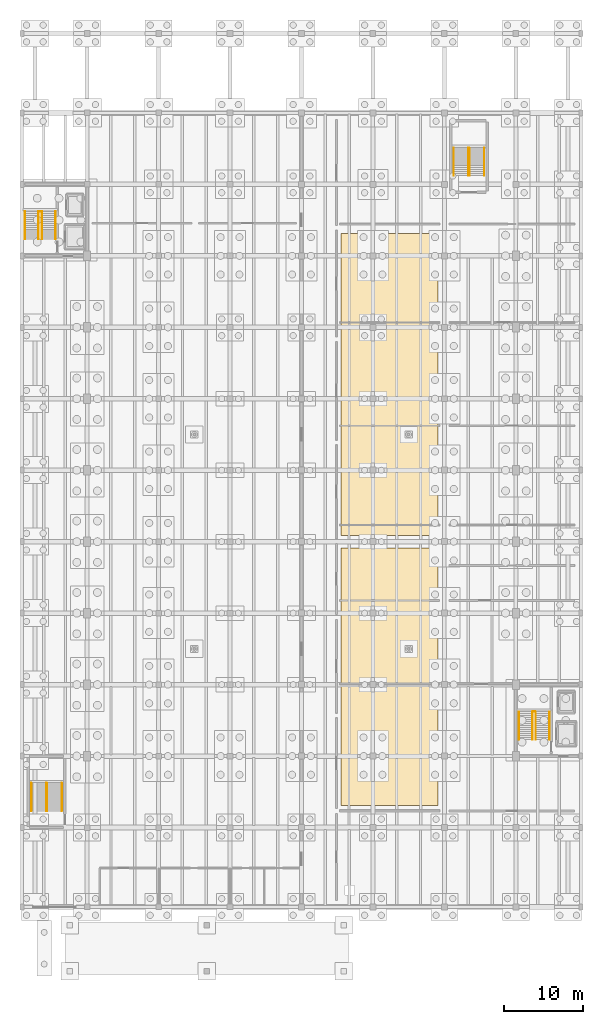
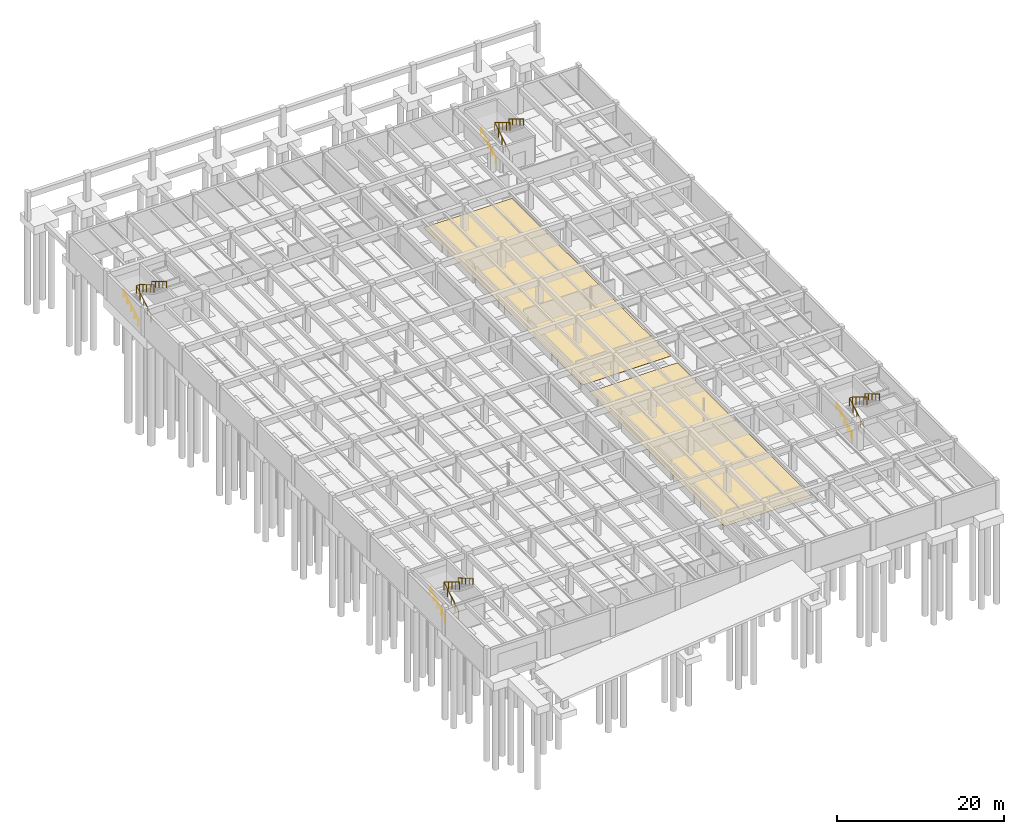
# One storey, part 22 of 23: 12 railings, 2 coverings.
"""IFC4 building model written with IfcOpenShell, lengths in metres."""

from ifc_helpers import new_model, si_unit, direction, frame, origin, origin_2d, place, context, subcontext, project, spatial, polyline, circle, outline, extrude, material, layer, layer_set, type_object, element, save


model = new_model("IFC4")

# Units and contexts
model_context = context("Model", 3, precision=1e-05, world=origin(), true_north=direction((0.0, 1.0)))
body_context = subcontext(model_context, "Body", "Model", "MODEL_VIEW")
ifc_project = project(units=[si_unit("LENGTHUNIT", "METRE"), si_unit("AREAUNIT", "SQUARE_METRE"), si_unit("VOLUMEUNIT", "CUBIC_METRE"), si_unit("PLANEANGLEUNIT", "RADIAN"), si_unit("MASSUNIT", "GRAM", prefix="KILO")], contexts=[model_context])

# Site, building, storey
site_placement = place(None, origin())
site = spatial("IfcSite", under=ifc_project, at=site_placement, CompositionType="ELEMENT")
building_placement = place(site_placement, origin())
building = spatial("IfcBuilding", under=site, at=building_placement, Name="Ornek Quay Market", CompositionType="ELEMENT")
storey_placement = place(building_placement, frame((0.0, 0.0, -4.199951171875)))
storey = spatial("IfcBuildingStorey", under=building, at=storey_placement, Name="B1", CompositionType="ELEMENT", Elevation=-4.199951171875)

# Coverings
ifc_material_1 = material(Name="Hygienic slip-resistant polyurethane food-grade screed", Category="other")
ifc_layer_1 = layer(ifc_material_1, 0.02001953125, Name="Hygienic slip-resistant polyurethane food-grade screed", Category="other")
ifc_layer_set_1 = layer_set([ifc_layer_1], Name="Hygienic slip-resistant polyurethane food-grade screed")
covering_type_1 = type_object("IfcCoveringType", Name="COV-FLR-RESIN-20", PredefinedType="FLOORING", material=ifc_layer_set_1)
covering_1_placement = place(storey_placement, origin())
element("IfcCovering", 1, at=covering_1_placement, inside=storey, type_object=covering_type_1, Name="Finished flooring FLG-12", PredefinedType="FLOORING", context=body_context, shape_type="SweptSolid", body=[
    extrude(outline(polyline([(95.0, 22.800048828125), (107.199951171875, 22.800048828125), (107.199951171875, 55.199951171875), (95.0, 55.199951171875), (95.0, 22.800048828125)])), origin(), (0.0, 0.0, 1.0), 0.02001953125),
])
ifc_material_2 = material(Name="Polished granite-aggregate terrazzo flooring", Category="masonry")
ifc_layer_2 = layer(ifc_material_2, 0.034912109375, Name="Polished granite-aggregate terrazzo flooring", Category="masonry")
ifc_layer_set_2 = layer_set([ifc_layer_2], Name="Polished granite-aggregate terrazzo flooring")
covering_type_2 = type_object("IfcCoveringType", Name="COV-FLR-TERRAZZO-35", PredefinedType="FLOORING", material=ifc_layer_set_2)
covering_2_placement = place(storey_placement, origin())
element("IfcCovering", 2, at=covering_2_placement, inside=storey, type_object=covering_type_2, Name="Finished flooring FLG-13", PredefinedType="FLOORING", context=body_context, shape_type="SweptSolid", body=[
    extrude(outline(polyline([(95.0, 56.800048828125), (107.199951171875, 56.800048828125), (107.199951171875, 94.800048828125), (95.0, 94.800048828125), (95.0, 56.800048828125)])), origin(), (0.0, 0.0, 1.0), 0.034912109375),
])

# Railings
ifc_material_3 = material(Name="Brushed stainless steel 316", Category="steel")
railing_type_1 = type_object("IfcRailingType", Name="RL-GUARD-STAIR-1100", PredefinedType="GUARDRAIL", material=ifc_material_3)
railing_1_placement = place(storey_placement, frame((56.89990234375, 94.095947265625, 0.0)))
element("IfcRailing", 3, at=railing_1_placement, inside=storey, type_object=railing_type_1, Name="Railing GR-03-013", PredefinedType="GUARDRAIL", context=body_context, shape_type="SweptSolid", body=[
    extrude(circle(Radius=0.02392578125, at=origin_2d()), frame((0.0, 0.0, 1.09619140625), z_axis=(0.0, 0.857255138169, 0.514891860572), x_axis=(-1.0, 0.0, 0.0)), (0.0, 0.0, 1.0), 4.04833984375),
    extrude(circle(Radius=0.02392578125, at=origin_2d()), frame((0.030029296875, 3.49609375, 3.19580078125), z_axis=(1.0, 0.0, 0.0), x_axis=(0.0, 1.0, 0.0)), (0.0, 0.0, 1.0), 0.340087890625),
    extrude(circle(Radius=0.02392578125, at=origin_2d()), frame((0.400146484375, 3.470458984375, 3.21142578125), z_axis=(0.0, -0.856958519123, 0.515385386387), x_axis=(1.0, 0.0, 0.0)), (0.0, 0.0, 1.0), 4.044921875),
    extrude(circle(Radius=0.02099609375, at=origin_2d()), origin(), (0.0, 0.0, 1.0), 1.068115234375),
    extrude(circle(Radius=0.02099609375, at=origin_2d()), frame((0.0, 0.8740234375, 0.52490234375)), (0.0, 0.0, 1.0), 1.068115234375),
    extrude(circle(Radius=0.02099609375, at=origin_2d()), frame((0.0, 1.748046875, 1.0498046875)), (0.0, 0.0, 1.0), 1.068115234375),
    extrude(circle(Radius=0.02099609375, at=origin_2d()), frame((0.0, 2.6220703125, 1.574951171875)), (0.0, 0.0, 1.0), 1.068115234375),
    extrude(circle(Radius=0.02099609375, at=origin_2d()), frame((0.0, 3.49609375, 2.099853515625)), (0.0, 0.0, 1.0), 1.068115234375),
    extrude(circle(Radius=0.02099609375, at=origin_2d()), frame((0.400146484375, 3.49609375, 2.099853515625)), (0.0, 0.0, 1.0), 1.068115234375),
    extrude(circle(Radius=0.02099609375, at=origin_2d()), frame((0.400146484375, 2.623046875, 2.625)), (0.0, 0.0, 1.0), 1.068115234375),
    extrude(circle(Radius=0.02099609375, at=origin_2d()), frame((0.400146484375, 1.75, 3.14990234375)), (0.0, 0.0, 1.0), 1.068115234375),
    extrude(circle(Radius=0.02099609375, at=origin_2d()), frame((0.400146484375, 0.877197265625, 3.6748046875)), (0.0, 0.0, 1.0), 1.068115234375),
    extrude(circle(Radius=0.02099609375, at=origin_2d()), frame((0.400146484375, 0.004150390625, 4.199951171875)), (0.0, 0.0, 1.0), 1.068115234375),
])
railing_2_placement = place(storey_placement, frame((119.10009765625, 31.095947265625, 0.0)))
element("IfcRailing", 4, at=railing_2_placement, inside=storey, type_object=railing_type_1, Name="Railing GR-03-025", PredefinedType="GUARDRAIL", context=body_context, shape_type="SweptSolid", body=[
    extrude(circle(Radius=0.02392578125, at=origin_2d()), frame((0.0, 0.0, 1.09619140625), z_axis=(0.0, 0.857255138169, 0.514891860572), x_axis=(-1.0, 0.0, 0.0)), (0.0, 0.0, 1.0), 4.04833984375),
    extrude(circle(Radius=0.02392578125, at=origin_2d()), frame((0.030029296875, 3.49609375, 3.19580078125), z_axis=(1.0, 0.0, 0.0), x_axis=(0.0, 1.0, 0.0)), (0.0, 0.0, 1.0), 0.33984375),
    extrude(circle(Radius=0.02392578125, at=origin_2d()), frame((0.39990234375, 3.470458984375, 3.21142578125), z_axis=(0.0, -0.856958519123, 0.515385386387), x_axis=(1.0, 0.0, 0.0)), (0.0, 0.0, 1.0), 4.044921875),
    extrude(circle(Radius=0.02099609375, at=origin_2d()), origin(), (0.0, 0.0, 1.0), 1.068115234375),
    extrude(circle(Radius=0.02099609375, at=origin_2d()), frame((0.0, 0.8740234375, 0.52490234375)), (0.0, 0.0, 1.0), 1.068115234375),
    extrude(circle(Radius=0.02099609375, at=origin_2d()), frame((0.0, 1.748046875, 1.0498046875)), (0.0, 0.0, 1.0), 1.068115234375),
    extrude(circle(Radius=0.02099609375, at=origin_2d()), frame((0.0, 2.6220703125, 1.574951171875)), (0.0, 0.0, 1.0), 1.068115234375),
    extrude(circle(Radius=0.02099609375, at=origin_2d()), frame((0.0, 3.49609375, 2.099853515625)), (0.0, 0.0, 1.0), 1.068115234375),
    extrude(circle(Radius=0.02099609375, at=origin_2d()), frame((0.39990234375, 3.49609375, 2.099853515625)), (0.0, 0.0, 1.0), 1.068115234375),
    extrude(circle(Radius=0.02099609375, at=origin_2d()), frame((0.39990234375, 2.623046875, 2.625)), (0.0, 0.0, 1.0), 1.068115234375),
    extrude(circle(Radius=0.02099609375, at=origin_2d()), frame((0.39990234375, 1.75, 3.14990234375)), (0.0, 0.0, 1.0), 1.068115234375),
    extrude(circle(Radius=0.02099609375, at=origin_2d()), frame((0.39990234375, 0.877197265625, 3.6748046875)), (0.0, 0.0, 1.0), 1.068115234375),
    extrude(circle(Radius=0.02099609375, at=origin_2d()), frame((0.39990234375, 0.004150390625, 4.199951171875)), (0.0, 0.0, 1.0), 1.068115234375),
])
railing_3_placement = place(storey_placement, frame((57.85009765625, 22.095947265625, 0.0)))
element("IfcRailing", 5, at=railing_3_placement, inside=storey, type_object=railing_type_1, Name="Railing GR-03-120", PredefinedType="GUARDRAIL", context=body_context, shape_type="SweptSolid", body=[
    extrude(circle(Radius=0.02392578125, at=origin_2d()), frame((0.0, 0.0, 1.09619140625), z_axis=(0.0, 0.857255138169, 0.514891860572), x_axis=(-1.0, 0.0, 0.0)), (0.0, 0.0, 1.0), 4.04833984375),
    extrude(circle(Radius=0.02392578125, at=origin_2d()), frame((0.030029296875, 3.49609375, 3.19580078125), z_axis=(1.0, 0.0, 0.0), x_axis=(0.0, 1.0, 0.0)), (0.0, 0.0, 1.0), 0.0400390625),
    extrude(circle(Radius=0.02392578125, at=origin_2d()), frame((0.099853515625, 3.470458984375, 3.21142578125), z_axis=(0.0, -0.856958519123, 0.515385386387), x_axis=(1.0, 0.0, 0.0)), (0.0, 0.0, 1.0), 4.044921875),
    extrude(circle(Radius=0.02099609375, at=origin_2d()), origin(), (0.0, 0.0, 1.0), 1.068115234375),
    extrude(circle(Radius=0.02099609375, at=origin_2d()), frame((0.0, 0.8740234375, 0.52490234375)), (0.0, 0.0, 1.0), 1.068115234375),
    extrude(circle(Radius=0.02099609375, at=origin_2d()), frame((0.0, 1.748046875, 1.0498046875)), (0.0, 0.0, 1.0), 1.068115234375),
    extrude(circle(Radius=0.02099609375, at=origin_2d()), frame((0.0, 2.6220703125, 1.574951171875)), (0.0, 0.0, 1.0), 1.068115234375),
    extrude(circle(Radius=0.02099609375, at=origin_2d()), frame((0.0, 3.49609375, 2.099853515625)), (0.0, 0.0, 1.0), 1.068115234375),
    extrude(circle(Radius=0.02099609375, at=origin_2d()), frame((0.099853515625, 2.623046875, 2.625)), (0.0, 0.0, 1.0), 1.068115234375),
    extrude(circle(Radius=0.02099609375, at=origin_2d()), frame((0.099853515625, 1.75, 3.14990234375)), (0.0, 0.0, 1.0), 1.068115234375),
    extrude(circle(Radius=0.02099609375, at=origin_2d()), frame((0.099853515625, 0.877197265625, 3.6748046875)), (0.0, 0.0, 1.0), 1.068115234375),
    extrude(circle(Radius=0.02099609375, at=origin_2d()), frame((0.099853515625, 0.004150390625, 4.199951171875)), (0.0, 0.0, 1.0), 1.068115234375),
])
railing_4_placement = place(storey_placement, frame((111.050048828125, 102.095947265625, 0.0)))
element("IfcRailing", 6, at=railing_4_placement, inside=storey, type_object=railing_type_1, Name="Railing GR-03-124", PredefinedType="GUARDRAIL", context=body_context, shape_type="SweptSolid", body=[
    extrude(circle(Radius=0.02392578125, at=origin_2d()), frame((0.0, 0.0, 1.09619140625), z_axis=(0.0, 0.857255138169, 0.514891860572), x_axis=(-1.0, 0.0, 0.0)), (0.0, 0.0, 1.0), 4.04833984375),
    extrude(circle(Radius=0.02392578125, at=origin_2d()), frame((0.030029296875, 3.49609375, 3.19580078125), z_axis=(1.0, 0.0, 0.0), x_axis=(0.0, 1.0, 0.0)), (0.0, 0.0, 1.0), 0.0400390625),
    extrude(circle(Radius=0.02392578125, at=origin_2d()), frame((0.099853515625, 3.470458984375, 3.21142578125), z_axis=(0.0, -0.856958519123, 0.515385386387), x_axis=(1.0, 0.0, 0.0)), (0.0, 0.0, 1.0), 4.044921875),
    extrude(circle(Radius=0.02099609375, at=origin_2d()), origin(), (0.0, 0.0, 1.0), 1.068115234375),
    extrude(circle(Radius=0.02099609375, at=origin_2d()), frame((0.0, 0.8740234375, 0.52490234375)), (0.0, 0.0, 1.0), 1.068115234375),
    extrude(circle(Radius=0.02099609375, at=origin_2d()), frame((0.0, 1.748046875, 1.0498046875)), (0.0, 0.0, 1.0), 1.068115234375),
    extrude(circle(Radius=0.02099609375, at=origin_2d()), frame((0.0, 2.6220703125, 1.574951171875)), (0.0, 0.0, 1.0), 1.068115234375),
    extrude(circle(Radius=0.02099609375, at=origin_2d()), frame((0.0, 3.49609375, 2.099853515625)), (0.0, 0.0, 1.0), 1.068115234375),
    extrude(circle(Radius=0.02099609375, at=origin_2d()), frame((0.099853515625, 2.623046875, 2.625)), (0.0, 0.0, 1.0), 1.068115234375),
    extrude(circle(Radius=0.02099609375, at=origin_2d()), frame((0.099853515625, 1.75, 3.14990234375)), (0.0, 0.0, 1.0), 1.068115234375),
    extrude(circle(Radius=0.02099609375, at=origin_2d()), frame((0.099853515625, 0.877197265625, 3.6748046875)), (0.0, 0.0, 1.0), 1.068115234375),
    extrude(circle(Radius=0.02099609375, at=origin_2d()), frame((0.099853515625, 0.004150390625, 4.199951171875)), (0.0, 0.0, 1.0), 1.068115234375),
])
railing_type_2 = type_object("IfcRailingType", Name="RL-HANDRAIL-920", PredefinedType="HANDRAIL", material=ifc_material_3)
railing_5_placement = place(storey_placement, frame((55.179931640625, 94.095947265625, 0.079833984375)))
element("IfcRailing", 7, at=railing_5_placement, inside=storey, type_object=railing_type_2, Name="Railing HR-01-014", PredefinedType="HANDRAIL", context=body_context, shape_type="SweptSolid", body=[
    extrude(circle(Radius=0.02392578125, at=origin_2d()), frame((0.0, 0.0, 0.89599609375), z_axis=(0.0, 0.857228714181, 0.514935851912), x_axis=(-1.0, 0.0, 0.0)), (0.0, 0.0, 1.0), 4.078369140625),
    extrude(circle(Radius=0.02099609375, at=origin_2d()), origin(), (0.0, 0.0, 1.0), 0.867919921875),
    extrude(circle(Radius=0.02099609375, at=origin_2d()), frame((0.0, 0.8740234375, 0.52490234375)), (0.0, 0.0, 1.0), 0.867919921875),
    extrude(circle(Radius=0.02099609375, at=origin_2d()), frame((0.0, 1.748046875, 1.050048828125)), (0.0, 0.0, 1.0), 0.867919921875),
    extrude(circle(Radius=0.02099609375, at=origin_2d()), frame((0.0, 2.6220703125, 1.5751953125)), (0.0, 0.0, 1.0), 0.867919921875),
    extrude(circle(Radius=0.02099609375, at=origin_2d()), frame((0.0, 3.49609375, 2.10009765625)), (0.0, 0.0, 1.0), 0.867919921875),
])
railing_6_placement = place(storey_placement, frame((59.02001953125, 97.592041015625, 2.179931640625)))
element("IfcRailing", 8, at=railing_6_placement, inside=storey, type_object=railing_type_2, Name="Railing HR-01-015", PredefinedType="HANDRAIL", context=body_context, shape_type="SweptSolid", body=[
    extrude(circle(Radius=0.02392578125, at=origin_2d()), frame((0.0, 0.0, 0.89599609375), z_axis=(0.0, -0.856958519123, 0.515385386387), x_axis=(1.0, 0.0, 0.0)), (0.0, 0.0, 1.0), 4.07470703125),
    extrude(circle(Radius=0.02099609375, at=origin_2d()), origin(), (0.0, 0.0, 1.0), 0.867919921875),
    extrude(circle(Radius=0.02099609375, at=origin_2d()), frame((0.0, -0.873046875, 0.52490234375)), (0.0, 0.0, 1.0), 0.867919921875),
    extrude(circle(Radius=0.02099609375, at=origin_2d()), frame((0.0, -1.74609375, 1.050048828125)), (0.0, 0.0, 1.0), 0.867919921875),
    extrude(circle(Radius=0.02099609375, at=origin_2d()), frame((0.0, -2.618896484375, 1.5751953125)), (0.0, 0.0, 1.0), 0.867919921875),
    extrude(circle(Radius=0.02099609375, at=origin_2d()), frame((0.0, -3.491943359375, 2.10009765625)), (0.0, 0.0, 1.0), 0.867919921875),
])
railing_7_placement = place(storey_placement, frame((117.3798828125, 31.095947265625, 0.079833984375)))
element("IfcRailing", 9, at=railing_7_placement, inside=storey, type_object=railing_type_2, Name="Railing HR-01-026", PredefinedType="HANDRAIL", context=body_context, shape_type="SweptSolid", body=[
    extrude(circle(Radius=0.02392578125, at=origin_2d()), frame((0.0, 0.0, 0.89599609375), z_axis=(0.0, 0.857228714181, 0.514935851912), x_axis=(-1.0, 0.0, 0.0)), (0.0, 0.0, 1.0), 4.078369140625),
    extrude(circle(Radius=0.02099609375, at=origin_2d()), origin(), (0.0, 0.0, 1.0), 0.867919921875),
    extrude(circle(Radius=0.02099609375, at=origin_2d()), frame((0.0, 0.8740234375, 0.52490234375)), (0.0, 0.0, 1.0), 0.867919921875),
    extrude(circle(Radius=0.02099609375, at=origin_2d()), frame((0.0, 1.748046875, 1.050048828125)), (0.0, 0.0, 1.0), 0.867919921875),
    extrude(circle(Radius=0.02099609375, at=origin_2d()), frame((0.0, 2.6220703125, 1.5751953125)), (0.0, 0.0, 1.0), 0.867919921875),
    extrude(circle(Radius=0.02099609375, at=origin_2d()), frame((0.0, 3.49609375, 2.10009765625)), (0.0, 0.0, 1.0), 0.867919921875),
])
railing_8_placement = place(storey_placement, frame((121.219970703125, 34.592041015625, 2.179931640625)))
element("IfcRailing", 10, at=railing_8_placement, inside=storey, type_object=railing_type_2, Name="Railing HR-01-027", PredefinedType="HANDRAIL", context=body_context, shape_type="SweptSolid", body=[
    extrude(circle(Radius=0.02392578125, at=origin_2d()), frame((0.0, 0.0, 0.89599609375), z_axis=(0.0, -0.856958519123, 0.515385386387), x_axis=(1.0, 0.0, 0.0)), (0.0, 0.0, 1.0), 4.07470703125),
    extrude(circle(Radius=0.02099609375, at=origin_2d()), origin(), (0.0, 0.0, 1.0), 0.867919921875),
    extrude(circle(Radius=0.02099609375, at=origin_2d()), frame((0.0, -0.873046875, 0.52490234375)), (0.0, 0.0, 1.0), 0.867919921875),
    extrude(circle(Radius=0.02099609375, at=origin_2d()), frame((0.0, -1.74609375, 1.050048828125)), (0.0, 0.0, 1.0), 0.867919921875),
    extrude(circle(Radius=0.02099609375, at=origin_2d()), frame((0.0, -2.618896484375, 1.5751953125)), (0.0, 0.0, 1.0), 0.867919921875),
    extrude(circle(Radius=0.02099609375, at=origin_2d()), frame((0.0, -3.491943359375, 2.10009765625)), (0.0, 0.0, 1.0), 0.867919921875),
])
railing_9_placement = place(storey_placement, frame((55.97998046875, 22.095947265625, 0.079833984375)))
element("IfcRailing", 11, at=railing_9_placement, inside=storey, type_object=railing_type_2, Name="Railing HR-01-121", PredefinedType="HANDRAIL", context=body_context, shape_type="SweptSolid", body=[
    extrude(circle(Radius=0.02392578125, at=origin_2d()), frame((0.0, 0.0, 0.89599609375), z_axis=(0.0, 0.857228714181, 0.514935851912), x_axis=(-1.0, 0.0, 0.0)), (0.0, 0.0, 1.0), 4.078369140625),
    extrude(circle(Radius=0.02099609375, at=origin_2d()), origin(), (0.0, 0.0, 1.0), 0.867919921875),
    extrude(circle(Radius=0.02099609375, at=origin_2d()), frame((0.0, 0.8740234375, 0.52490234375)), (0.0, 0.0, 1.0), 0.867919921875),
    extrude(circle(Radius=0.02099609375, at=origin_2d()), frame((0.0, 1.748046875, 1.050048828125)), (0.0, 0.0, 1.0), 0.867919921875),
    extrude(circle(Radius=0.02099609375, at=origin_2d()), frame((0.0, 2.6220703125, 1.5751953125)), (0.0, 0.0, 1.0), 0.867919921875),
    extrude(circle(Radius=0.02099609375, at=origin_2d()), frame((0.0, 3.49609375, 2.10009765625)), (0.0, 0.0, 1.0), 0.867919921875),
])
railing_10_placement = place(storey_placement, frame((59.820068359375, 25.592041015625, 2.179931640625)))
element("IfcRailing", 12, at=railing_10_placement, inside=storey, type_object=railing_type_2, Name="Railing HR-01-122", PredefinedType="HANDRAIL", context=body_context, shape_type="SweptSolid", body=[
    extrude(circle(Radius=0.02392578125, at=origin_2d()), frame((0.0, 0.0, 0.89599609375), z_axis=(0.0, -0.856958519123, 0.515385386387), x_axis=(1.0, 0.0, 0.0)), (0.0, 0.0, 1.0), 4.07470703125),
    extrude(circle(Radius=0.02099609375, at=origin_2d()), origin(), (0.0, 0.0, 1.0), 0.867919921875),
    extrude(circle(Radius=0.02099609375, at=origin_2d()), frame((0.0, -0.873046875, 0.52490234375)), (0.0, 0.0, 1.0), 0.867919921875),
    extrude(circle(Radius=0.02099609375, at=origin_2d()), frame((0.0, -1.74609375, 1.050048828125)), (0.0, 0.0, 1.0), 0.867919921875),
    extrude(circle(Radius=0.02099609375, at=origin_2d()), frame((0.0, -2.618896484375, 1.5751953125)), (0.0, 0.0, 1.0), 0.867919921875),
    extrude(circle(Radius=0.02099609375, at=origin_2d()), frame((0.0, -3.491943359375, 2.10009765625)), (0.0, 0.0, 1.0), 0.867919921875),
])
railing_11_placement = place(storey_placement, frame((109.179931640625, 102.095947265625, 0.079833984375)))
element("IfcRailing", 13, at=railing_11_placement, inside=storey, type_object=railing_type_2, Name="Railing HR-01-125", PredefinedType="HANDRAIL", context=body_context, shape_type="SweptSolid", body=[
    extrude(circle(Radius=0.02392578125, at=origin_2d()), frame((0.0, 0.0, 0.89599609375), z_axis=(0.0, 0.857228714181, 0.514935851912), x_axis=(-1.0, 0.0, 0.0)), (0.0, 0.0, 1.0), 4.078369140625),
    extrude(circle(Radius=0.02099609375, at=origin_2d()), origin(), (0.0, 0.0, 1.0), 0.867919921875),
    extrude(circle(Radius=0.02099609375, at=origin_2d()), frame((0.0, 0.8740234375, 0.52490234375)), (0.0, 0.0, 1.0), 0.867919921875),
    extrude(circle(Radius=0.02099609375, at=origin_2d()), frame((0.0, 1.748046875, 1.050048828125)), (0.0, 0.0, 1.0), 0.867919921875),
    extrude(circle(Radius=0.02099609375, at=origin_2d()), frame((0.0, 2.6220703125, 1.5751953125)), (0.0, 0.0, 1.0), 0.867919921875),
    extrude(circle(Radius=0.02099609375, at=origin_2d()), frame((0.0, 3.49609375, 2.10009765625)), (0.0, 0.0, 1.0), 0.867919921875),
])
railing_12_placement = place(storey_placement, frame((113.02001953125, 105.592041015625, 2.179931640625)))
element("IfcRailing", 14, at=railing_12_placement, inside=storey, type_object=railing_type_2, Name="Railing HR-01-126", PredefinedType="HANDRAIL", context=body_context, shape_type="SweptSolid", body=[
    extrude(circle(Radius=0.02392578125, at=origin_2d()), frame((0.0, 0.0, 0.89599609375), z_axis=(0.0, -0.856958519123, 0.515385386387), x_axis=(1.0, 0.0, 0.0)), (0.0, 0.0, 1.0), 4.07470703125),
    extrude(circle(Radius=0.02099609375, at=origin_2d()), origin(), (0.0, 0.0, 1.0), 0.867919921875),
    extrude(circle(Radius=0.02099609375, at=origin_2d()), frame((0.0, -0.873046875, 0.52490234375)), (0.0, 0.0, 1.0), 0.867919921875),
    extrude(circle(Radius=0.02099609375, at=origin_2d()), frame((0.0, -1.74609375, 1.050048828125)), (0.0, 0.0, 1.0), 0.867919921875),
    extrude(circle(Radius=0.02099609375, at=origin_2d()), frame((0.0, -2.618896484375, 1.5751953125)), (0.0, 0.0, 1.0), 0.867919921875),
    extrude(circle(Radius=0.02099609375, at=origin_2d()), frame((0.0, -3.491943359375, 2.10009765625)), (0.0, 0.0, 1.0), 0.867919921875),
])

save(model, "model.ifc")
